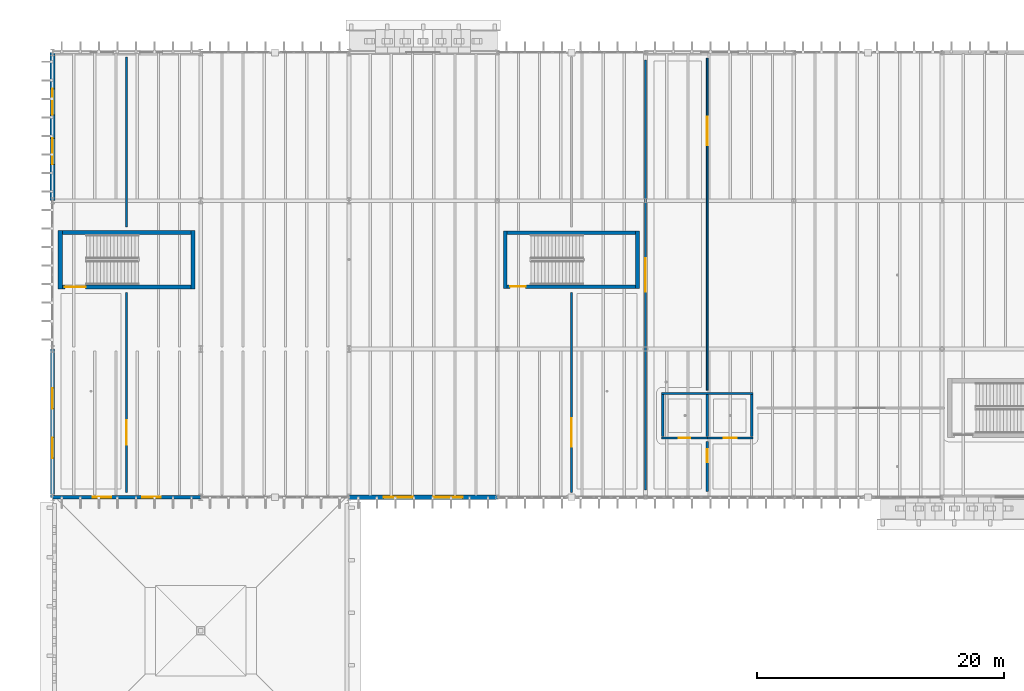
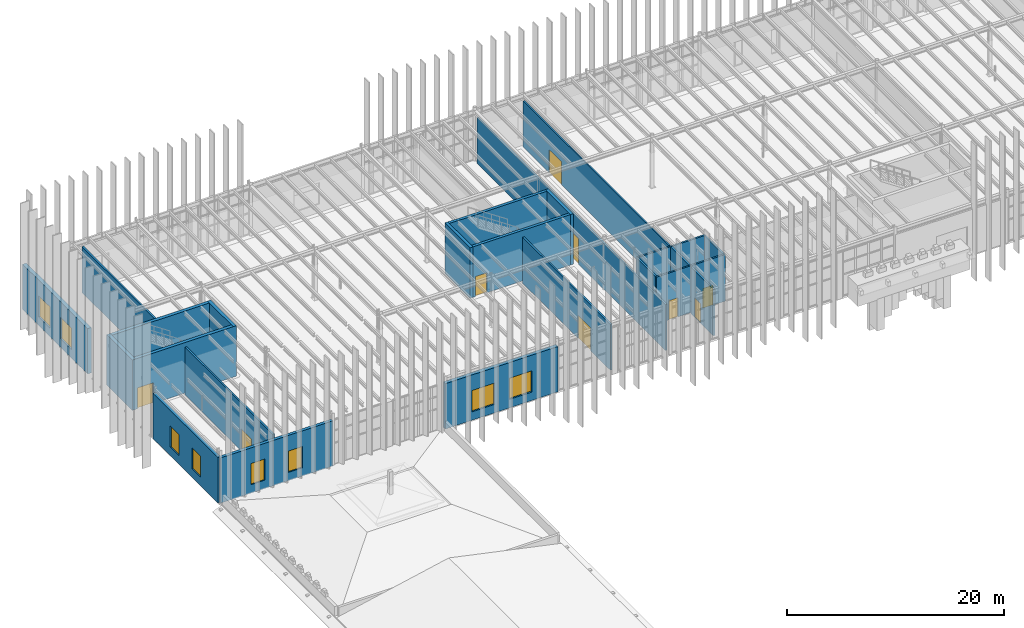
# One storey, part 46 of 83: 24 walls, 9 doors, 8 windows, 17 openings.
"""IFC4 building model written with IfcOpenShell, lengths in metres."""

import ifcopenshell
import ifcopenshell.guid

model = None  # the IFC model being written
_history = None  # IfcOwnerHistory: only IFC2X3 demands one
_inside = {}  # id of a spatial element -> (the spatial element, [elements in it])
_under = {}  # id of a project, library or spatial element -> (it, [spatial elements below it])
_declared = {}  # id of a project -> (the project, [libraries it declares])
_typed = {}  # id of a type object -> (the type object, [elements of that type])
_made_of = {}  # id of a material, layer set ... -> (it, [elements and type objects made of it])


def new_model(schema):
    """Start an empty IFC model of exactly this schema.

    Asked for "IFC4X3", IfcOpenShell would pick the latest addendum, in which some entities
    have other attributes; the version numbers below select the first issue.
    IFC2X3 requires an IfcOwnerHistory on every rooted entity: one is made here for all.
    """
    global model, _history
    if schema == "IFC4X3":
        model = ifcopenshell.file(schema_version=(4, 3, 0, 0))
    else:
        model = ifcopenshell.file(schema=schema)
    _inside.clear()
    _under.clear()
    _declared.clear()
    _typed.clear()
    _made_of.clear()
    _history = None
    if model.schema == "IFC2X3":
        org = make("IfcOrganization", Name="unknown")
        user = make(
            "IfcPersonAndOrganization",
            ThePerson=make("IfcPerson", FamilyName="unknown"),
            TheOrganization=org,
        )
        app = make(
            "IfcApplication",
            ApplicationDeveloper=org,
            Version="unknown",
            ApplicationFullName="unknown",
            ApplicationIdentifier="unknown",
        )
        _history = make(
            "IfcOwnerHistory",
            OwningUser=user,
            OwningApplication=app,
            ChangeAction="ADDED",
            CreationDate=0,
        )
    return model


def make(cls, **values):
    """One entity of the class cls with the attributes given. An attribute that is None is left unset."""
    return model.create_entity(
        cls, **{name: value for name, value in values.items() if value is not None}
    )


def rooted(cls, **values):
    """An entity with a GlobalId (a new one), such as an element, a storey or a relation."""
    return make(cls, GlobalId=ifcopenshell.guid.new(), OwnerHistory=_history, **values)


def si_unit(unit_type, name, prefix=None):
    """IfcSIUnit, for example si_unit("LENGTHUNIT", "METRE", prefix="MILLI")."""
    return make("IfcSIUnit", UnitType=unit_type, Prefix=prefix, Name=name)


def assignment(units):
    """IfcUnitAssignment: the units of a project."""
    return None if units is None else make("IfcUnitAssignment", Units=units)


def point(xyz):
    """IfcCartesianPoint."""
    return None if xyz is None else make("IfcCartesianPoint", Coordinates=xyz)


def direction(xyz):
    """IfcDirection."""
    return None if xyz is None else make("IfcDirection", DirectionRatios=xyz)


def frame(location, z_axis=None, x_axis=None):
    """IfcAxis2Placement3D, a coordinate frame: its origin and axes. An axis left out is left unset."""
    return make(
        "IfcAxis2Placement3D",
        Location=point(location),
        Axis=direction(z_axis),
        RefDirection=direction(x_axis),
    )


def frame_2d(location, x_axis=None):
    """IfcAxis2Placement2D, a coordinate frame in the plane: its origin and x axis."""
    return make(
        "IfcAxis2Placement2D", Location=point(location), RefDirection=direction(x_axis)
    )


def origin():
    """The frame at (0, 0, 0) with its axes left unset."""
    return frame((0.0, 0.0, 0.0))


def place(relative_to, where):
    """IfcLocalPlacement: puts the frame where relative to a parent placement (None: the world)."""
    return make(
        "IfcLocalPlacement", PlacementRelTo=relative_to, RelativePlacement=where
    )


def context(
    kind, dimensions, precision=None, world=None, true_north=None, identifier=None
):
    """IfcGeometricRepresentationContext, for example the 3D "Model" context."""
    return make(
        "IfcGeometricRepresentationContext",
        ContextIdentifier=identifier,
        ContextType=kind,
        CoordinateSpaceDimension=dimensions,
        Precision=precision,
        WorldCoordinateSystem=world,
        TrueNorth=true_north,
    )


def subcontext(parent, identifier, kind, view, scale=None):
    """IfcGeometricRepresentationSubContext, for example "Body" below "Model"."""
    return make(
        "IfcGeometricRepresentationSubContext",
        ContextIdentifier=identifier,
        ContextType=kind,
        ParentContext=parent,
        TargetScale=scale,
        TargetView=view,
    )


def project(units=None, contexts=None):
    """IfcProject with its units and contexts."""
    return rooted(
        "IfcProject",
        Name="project",
        RepresentationContexts=contexts,
        UnitsInContext=assignment(units),
    )


def spatial(cls, under=None, at=None, **own):
    """A site, building, storey or space (cls), placed at a placement, below another one or the project."""
    s = rooted(cls, ObjectPlacement=at, **own)
    if under is not None:
        _under.setdefault(under.id(), (under, []))[1].append(s)
    return s


def profile(cls, at=None, kind="AREA", **sizes):
    """A parametric profile (cls). Its sizes go by their IFC names, for example OverallWidth=200.0."""
    return make(cls, ProfileType=kind, Position=at, **sizes)


def rectangle(**sizes):
    """IfcRectangleProfileDef."""
    return profile("IfcRectangleProfileDef", **sizes)


def extrude(swept, where, along, depth):
    """IfcExtrudedAreaSolid: the profile swept, set in the frame where, extruded along a direction by depth."""
    return make(
        "IfcExtrudedAreaSolid",
        SweptArea=swept,
        Position=where,
        ExtrudedDirection=direction(along),
        Depth=depth,
    )


def shape(context_of_items, identifier, shape_type, items):
    """IfcShapeRepresentation: the items that make up one representation, for example the "Body"."""
    return make(
        "IfcShapeRepresentation",
        ContextOfItems=context_of_items,
        RepresentationIdentifier=identifier,
        RepresentationType=shape_type,
        Items=items,
    )


def material(Name=None, Category=None):
    """IfcMaterial."""
    return make("IfcMaterial", Name=Name, Category=Category)


def layer(
    of_material, thickness, ventilated=None, Name=None, Category=None, Priority=None
):
    """IfcMaterialLayer: one layer of a wall or slab, of a material (None: an air gap)."""
    return make(
        "IfcMaterialLayer",
        Material=of_material,
        LayerThickness=thickness,
        IsVentilated=ventilated,
        Name=Name,
        Category=Category,
        Priority=Priority,
    )


def layer_set(layers, Name=None):
    """IfcMaterialLayerSet."""
    return make("IfcMaterialLayerSet", MaterialLayers=layers, LayerSetName=Name)


def made_of(thing, what):
    """Note that an element or type object is made of a material, layer set ...; save() writes the relation."""
    if what is not None:
        _made_of.setdefault(what.id(), (what, []))[1].append(thing)
    return thing


def type_object(cls, material=None, **own):
    """A type object (cls), such as IfcWallType, which elements share."""
    return made_of(rooted(cls, **own), material)


def element(
    cls,
    number,
    at=None,
    inside=None,
    cuts=None,
    type_object=None,
    material=None,
    context=None,
    identifier="Body",
    shape_type=None,
    held_by="IfcProductDefinitionShape",
    body=None,
    shapes=None,
    **own,
):
    """One element of the class cls, such as IfcWall. Its Tag is "e" and its number.

    at: its placement. inside: the storey or other place that contains it. cuts: it is an
    opening in that element (IfcRelVoidsElement). A single representation is given by context,
    identifier, shape_type and body (its items); several are given by shapes. held_by: the class
    of the entity that holds the representations. save() writes the other relations.
    """
    e = rooted(cls, Tag="e%d" % number, ObjectPlacement=at, **own)
    if body is not None:
        shapes = [shape(context, identifier, shape_type, body)]
    if shapes is not None:
        e.Representation = make(held_by, Representations=shapes)
    if inside is not None:
        _inside.setdefault(inside.id(), (inside, []))[1].append(e)
    if cuts is not None:
        rooted(
            "IfcRelVoidsElement", RelatingBuildingElement=cuts, RelatedOpeningElement=e
        )
    if type_object is not None:
        _typed.setdefault(type_object.id(), (type_object, []))[1].append(e)
    return made_of(e, material)


def fill(opening, filler):
    """IfcRelFillsElement: the door or window that sits in an opening."""
    return rooted(
        "IfcRelFillsElement",
        RelatingOpeningElement=opening,
        RelatedBuildingElement=filler,
    )


def aggregate(whole, parts):
    """IfcRelAggregates: a whole, such as a stair, and the parts it consists of."""
    return rooted("IfcRelAggregates", RelatingObject=whole, RelatedObjects=parts)


def save(model, path):
    """Write the relations noted so far, then the file.

    IfcRelAggregates (storeys below a building ...), IfcRelContainedInSpatialStructure (elements
    in a storey), IfcRelDefinesByType, IfcRelAssociatesMaterial and IfcRelDeclares: one each for
    every whole, place, type object, material and project.
    """
    for whole, parts in _under.values():
        aggregate(whole, parts)
    for where, things in _inside.values():
        rooted(
            "IfcRelContainedInSpatialStructure",
            RelatedElements=things,
            RelatingStructure=where,
        )
    for kind, things in _typed.values():
        rooted("IfcRelDefinesByType", RelatedObjects=things, RelatingType=kind)
    for what, things in _made_of.values():
        rooted("IfcRelAssociatesMaterial", RelatedObjects=things, RelatingMaterial=what)
    for by, libraries in _declared.values():
        rooted("IfcRelDeclares", RelatingContext=by, RelatedDefinitions=libraries)
    model.write(path)


model = new_model("IFC4")

# Units and contexts
model_context = context("Model", 3, precision=1e-05, world=origin(), true_north=direction((0.0, 1.0)))
body_context = subcontext(model_context, "Body", "Model", "MODEL_VIEW")
ifc_project = project(units=[si_unit("LENGTHUNIT", "METRE"), si_unit("AREAUNIT", "SQUARE_METRE"), si_unit("VOLUMEUNIT", "CUBIC_METRE"), si_unit("PLANEANGLEUNIT", "RADIAN"), si_unit("MASSUNIT", "GRAM", prefix="KILO")], contexts=[model_context])

# Site, building, storey
site_placement = place(None, origin())
site = spatial("IfcSite", under=ifc_project, at=site_placement, CompositionType="ELEMENT")
building_placement = place(site_placement, origin())
building = spatial("IfcBuilding", under=site, at=building_placement, Name="Zlatogorsky Bluff Art Gallery", CompositionType="ELEMENT")
storey_placement = place(building_placement, frame((0.0, 0.0, 10.800048828125)))
storey = spatial("IfcBuildingStorey", under=building, at=storey_placement, Name="L02", CompositionType="ELEMENT", Elevation=10.800048828125)

# Wall, openings, windows
ifc_material_1 = material(Name="Precast concrete C40/50", Category="concrete")
ifc_layer_1 = layer(ifc_material_1, 0.39990234375)
ifc_layer_set_1 = layer_set([ifc_layer_1], Name="Exterior Wall EW-02 400mm")
wall_type_1 = type_object("IfcWallType", Name="Exterior Wall EW-02 400mm", PredefinedType="SOLIDWALL", material=ifc_layer_set_1)
wall_1_placement = place(storey_placement, frame((0.0, 120.0, 0.0), z_axis=(0.0, 0.0, 1.0), x_axis=(0.0, -1.0, 0.0)))
wall_1 = element("IfcWall", 1, at=wall_1_placement, inside=storey, type_object=wall_type_1, Name="Exterior wall EW-02 L02 W 0.10", PredefinedType="SOLIDWALL", context=body_context, shape_type="SweptSolid", body=[
    extrude(rectangle(XDim=12.0, YDim=0.39990234375, at=frame_2d((6.0, 0.0))), origin(), (0.0, 0.0, 1.0), 5.10986328125),
])
opening_1_placement = place(wall_1_placement, frame((2.949951171875, 0.0, 0.949951171875)))
opening_1 = element("IfcOpeningElement", 2, at=opening_1_placement, cuts=wall_1, Name="Opening WN-44", PredefinedType="OPENING", context=body_context, shape_type="SweptSolid", body=[
    extrude(rectangle(XDim=2.10009765625, YDim=2.39990234375, at=frame_2d((1.050048828125, 1.199951171875))), frame((0.0, 0.2099609375, 0.0), z_axis=(0.0, -1.0, 0.0), x_axis=(1.0, 0.0, 0.0)), (0.0, 0.0, 1.0), 0.419921875),
])
opening_2_placement = place(wall_1_placement, frame((6.949951171875, 0.0, 0.949951171875)))
opening_2 = element("IfcOpeningElement", 3, at=opening_2_placement, cuts=wall_1, Name="Opening WN-44", PredefinedType="OPENING", context=body_context, shape_type="SweptSolid", body=[
    extrude(rectangle(XDim=2.10009765625, YDim=2.39990234375, at=frame_2d((1.050048828125, 1.199951171875))), frame((0.0, 0.2099609375, 0.0), z_axis=(0.0, -1.0, 0.0), x_axis=(1.0, 0.0, 0.0)), (0.0, 0.0, 1.0), 0.419921875),
])
ifc_material_2 = material(Name="Bronze-Anodised Aluminium Triple Glazing", Category="aluminium")
window_type_1 = type_object("IfcWindowType", Name="Pointed-Reveal Window WN-44 2100x2400", PartitioningType="SINGLE_PANEL", PredefinedType="WINDOW", material=ifc_material_2)
window_1_placement = place(opening_1_placement, origin())
window_1 = element("IfcWindow", 4, at=window_1_placement, inside=storey, type_object=window_type_1, Name="Window WN-44 L02.W.0.10.1", OverallHeight=2.39990234375, OverallWidth=2.10009765625, PartitioningType="SINGLE_PANEL", PredefinedType="WINDOW", context=body_context, shape_type="SweptSolid", body=[
    extrude(rectangle(XDim=2.10009765625, YDim=2.39990234375, at=frame_2d((1.050048828125, 1.199951171875))), frame((0.0, 0.030029296875, 0.0), z_axis=(0.0, -1.0, 0.0), x_axis=(1.0, 0.0, 0.0)), (0.0, 0.0, 1.0), 0.06005859375),
])
fill(opening_1, window_1)
window_2_placement = place(opening_2_placement, origin())
window_2 = element("IfcWindow", 5, at=window_2_placement, inside=storey, type_object=window_type_1, Name="Window WN-44 L02.W.0.10.2", OverallHeight=2.39990234375, OverallWidth=2.10009765625, PartitioningType="SINGLE_PANEL", PredefinedType="WINDOW", context=body_context, shape_type="SweptSolid", body=[
    extrude(rectangle(XDim=2.10009765625, YDim=2.39990234375, at=frame_2d((1.050048828125, 1.199951171875))), frame((0.0, 0.030029296875, 0.0), z_axis=(0.0, -1.0, 0.0), x_axis=(1.0, 0.0, 0.0)), (0.0, 0.0, 1.0), 0.06005859375),
])
fill(opening_2, window_2)

wall_2_placement = place(storey_placement, frame((24.0, 84.0, 0.0), z_axis=(0.0, 0.0, 1.0), x_axis=(1.0, 0.0, 0.0)))
wall_2 = element("IfcWall", 6, at=wall_2_placement, inside=storey, type_object=wall_type_1, Name="Exterior wall EW-02 L02 S 2.8", PredefinedType="SOLIDWALL", context=body_context, shape_type="SweptSolid", body=[
    extrude(rectangle(XDim=12.0, YDim=0.39990234375, at=frame_2d((6.0, 0.0))), origin(), (0.0, 0.0, 1.0), 5.10986328125),
])
opening_3_placement = place(wall_2_placement, frame((2.800048828125, 0.0, 0.949951171875)))
opening_3 = element("IfcOpeningElement", 7, at=opening_3_placement, cuts=wall_2, Name="Opening WN-45", PredefinedType="OPENING", context=body_context, shape_type="SweptSolid", body=[
    extrude(rectangle(XDim=2.39990234375, YDim=2.39990234375, at=frame_2d((1.199951171875, 1.199951171875))), frame((0.0, 0.2099609375, 0.0), z_axis=(0.0, -1.0, 0.0), x_axis=(1.0, 0.0, 0.0)), (0.0, 0.0, 1.0), 0.419921875),
])
opening_4_placement = place(wall_2_placement, frame((6.800048828125, 0.0, 0.949951171875)))
opening_4 = element("IfcOpeningElement", 8, at=opening_4_placement, cuts=wall_2, Name="Opening WN-45", PredefinedType="OPENING", context=body_context, shape_type="SweptSolid", body=[
    extrude(rectangle(XDim=2.39990234375, YDim=2.39990234375, at=frame_2d((1.199951171875, 1.199951171875))), frame((0.0, 0.2099609375, 0.0), z_axis=(0.0, -1.0, 0.0), x_axis=(1.0, 0.0, 0.0)), (0.0, 0.0, 1.0), 0.419921875),
])
window_type_2 = type_object("IfcWindowType", Name="Pointed-Reveal Window WN-45 2400x2400", PartitioningType="SINGLE_PANEL", PredefinedType="WINDOW", material=ifc_material_2)
window_3_placement = place(opening_3_placement, origin())
window_3 = element("IfcWindow", 9, at=window_3_placement, inside=storey, type_object=window_type_2, Name="Window WN-45 L02.S.2.8.1", OverallHeight=2.39990234375, OverallWidth=2.39990234375, PartitioningType="SINGLE_PANEL", PredefinedType="WINDOW", context=body_context, shape_type="SweptSolid", body=[
    extrude(rectangle(XDim=2.39990234375, YDim=2.39990234375, at=frame_2d((1.199951171875, 1.199951171875))), frame((0.0, 0.030029296875, 0.0), z_axis=(0.0, -1.0, 0.0), x_axis=(1.0, 0.0, 0.0)), (0.0, 0.0, 1.0), 0.06005859375),
])
fill(opening_3, window_3)
window_4_placement = place(opening_4_placement, origin())
window_4 = element("IfcWindow", 10, at=window_4_placement, inside=storey, type_object=window_type_2, Name="Window WN-45 L02.S.2.8.2", OverallHeight=2.39990234375, OverallWidth=2.39990234375, PartitioningType="SINGLE_PANEL", PredefinedType="WINDOW", context=body_context, shape_type="SweptSolid", body=[
    extrude(rectangle(XDim=2.39990234375, YDim=2.39990234375, at=frame_2d((1.199951171875, 1.199951171875))), frame((0.0, 0.030029296875, 0.0), z_axis=(0.0, -1.0, 0.0), x_axis=(1.0, 0.0, 0.0)), (0.0, 0.0, 1.0), 0.06005859375),
])
fill(opening_4, window_4)

ifc_layer_2 = layer(ifc_material_1, 0.320068359375)
ifc_layer_set_2 = layer_set([ifc_layer_2], Name="Exterior Wall EW-04 320mm")
wall_type_2 = type_object("IfcWallType", Name="Exterior Wall EW-04 320mm", PredefinedType="SOLIDWALL", material=ifc_layer_set_2)
wall_3_placement = place(storey_placement, frame((0.0, 84.0, 0.0), z_axis=(0.0, 0.0, 1.0), x_axis=(1.0, 0.0, 0.0)))
wall_3 = element("IfcWall", 11, at=wall_3_placement, inside=storey, type_object=wall_type_2, Name="Exterior wall EW-04 L02 S 0.8", PredefinedType="SOLIDWALL", context=body_context, shape_type="SweptSolid", body=[
    extrude(rectangle(XDim=12.0, YDim=0.320068359375, at=frame_2d((6.0, 0.0))), origin(), (0.0, 0.0, 1.0), 5.10986328125),
])
opening_5_placement = place(wall_3_placement, frame((3.25, 0.0, 0.949951171875)))
opening_5 = element("IfcOpeningElement", 12, at=opening_5_placement, cuts=wall_3, Name="Opening WN-41", PredefinedType="OPENING", context=body_context, shape_type="SweptSolid", body=[
    extrude(rectangle(XDim=1.5, YDim=2.39990234375, at=frame_2d((0.75, 1.199951171875))), frame((0.0, 0.169921875, 0.0), z_axis=(0.0, -1.0, 0.0), x_axis=(1.0, 0.0, 0.0)), (0.0, 0.0, 1.0), 0.340087890625),
])
opening_6_placement = place(wall_3_placement, frame((7.25, 0.0, 0.949951171875)))
opening_6 = element("IfcOpeningElement", 13, at=opening_6_placement, cuts=wall_3, Name="Opening WN-41", PredefinedType="OPENING", context=body_context, shape_type="SweptSolid", body=[
    extrude(rectangle(XDim=1.5, YDim=2.39990234375, at=frame_2d((0.75, 1.199951171875))), frame((0.0, 0.169921875, 0.0), z_axis=(0.0, -1.0, 0.0), x_axis=(1.0, 0.0, 0.0)), (0.0, 0.0, 1.0), 0.340087890625),
])
window_type_3 = type_object("IfcWindowType", Name="Pointed-Reveal Window WN-41 1500x2400", PartitioningType="SINGLE_PANEL", PredefinedType="WINDOW", material=ifc_material_2)
window_5_placement = place(opening_5_placement, origin())
window_5 = element("IfcWindow", 14, at=window_5_placement, inside=storey, type_object=window_type_3, Name="Window WN-41 L02.S.0.8.1", OverallHeight=2.39990234375, OverallWidth=1.5, PartitioningType="SINGLE_PANEL", PredefinedType="WINDOW", context=body_context, shape_type="SweptSolid", body=[
    extrude(rectangle(XDim=1.5, YDim=2.39990234375, at=frame_2d((0.75, 1.199951171875))), frame((0.0, 0.030029296875, 0.0), z_axis=(0.0, -1.0, 0.0), x_axis=(1.0, 0.0, 0.0)), (0.0, 0.0, 1.0), 0.06005859375),
])
fill(opening_5, window_5)
window_6_placement = place(opening_6_placement, origin())
window_6 = element("IfcWindow", 15, at=window_6_placement, inside=storey, type_object=window_type_3, Name="Window WN-41 L02.S.0.8.2", OverallHeight=2.39990234375, OverallWidth=1.5, PartitioningType="SINGLE_PANEL", PredefinedType="WINDOW", context=body_context, shape_type="SweptSolid", body=[
    extrude(rectangle(XDim=1.5, YDim=2.39990234375, at=frame_2d((0.75, 1.199951171875))), frame((0.0, 0.030029296875, 0.0), z_axis=(0.0, -1.0, 0.0), x_axis=(1.0, 0.0, 0.0)), (0.0, 0.0, 1.0), 0.06005859375),
])
fill(opening_6, window_6)

wall_4_placement = place(storey_placement, frame((0.0, 96.0, 0.0), z_axis=(0.0, 0.0, 1.0), x_axis=(0.0, -1.0, 0.0)))
wall_4 = element("IfcWall", 16, at=wall_4_placement, inside=storey, type_object=wall_type_2, Name="Exterior wall EW-04 L02 W 0.8", PredefinedType="SOLIDWALL", context=body_context, shape_type="SweptSolid", body=[
    extrude(rectangle(XDim=12.0, YDim=0.320068359375, at=frame_2d((6.0, 0.0))), origin(), (0.0, 0.0, 1.0), 5.10986328125),
])
opening_7_placement = place(wall_4_placement, frame((3.175048828125, 0.0, 0.949951171875)))
opening_7 = element("IfcOpeningElement", 17, at=opening_7_placement, cuts=wall_4, Name="Opening WN-42", PredefinedType="OPENING", context=body_context, shape_type="SweptSolid", body=[
    extrude(rectangle(XDim=1.64990234375, YDim=2.39990234375, at=frame_2d((0.824951171875, 1.199951171875))), frame((0.0, 0.169921875, 0.0), z_axis=(0.0, -1.0, 0.0), x_axis=(1.0, 0.0, 0.0)), (0.0, 0.0, 1.0), 0.340087890625),
])
opening_8_placement = place(wall_4_placement, frame((7.175048828125, 0.0, 0.949951171875)))
opening_8 = element("IfcOpeningElement", 18, at=opening_8_placement, cuts=wall_4, Name="Opening WN-42", PredefinedType="OPENING", context=body_context, shape_type="SweptSolid", body=[
    extrude(rectangle(XDim=1.64990234375, YDim=2.39990234375, at=frame_2d((0.824951171875, 1.199951171875))), frame((0.0, 0.169921875, 0.0), z_axis=(0.0, -1.0, 0.0), x_axis=(1.0, 0.0, 0.0)), (0.0, 0.0, 1.0), 0.340087890625),
])
window_type_4 = type_object("IfcWindowType", Name="Pointed-Reveal Window WN-42 1650x2400", PartitioningType="SINGLE_PANEL", PredefinedType="WINDOW", material=ifc_material_2)
window_7_placement = place(opening_7_placement, origin())
window_7 = element("IfcWindow", 19, at=window_7_placement, inside=storey, type_object=window_type_4, Name="Window WN-42 L02.W.0.8.1", OverallHeight=2.39990234375, OverallWidth=1.64990234375, PartitioningType="SINGLE_PANEL", PredefinedType="WINDOW", context=body_context, shape_type="SweptSolid", body=[
    extrude(rectangle(XDim=1.64990234375, YDim=2.39990234375, at=frame_2d((0.824951171875, 1.199951171875))), frame((0.0, 0.030029296875, 0.0), z_axis=(0.0, -1.0, 0.0), x_axis=(1.0, 0.0, 0.0)), (0.0, 0.0, 1.0), 0.06005859375),
])
fill(opening_7, window_7)
window_8_placement = place(opening_8_placement, origin())
window_8 = element("IfcWindow", 20, at=window_8_placement, inside=storey, type_object=window_type_4, Name="Window WN-42 L02.W.0.8.2", OverallHeight=2.39990234375, OverallWidth=1.64990234375, PartitioningType="SINGLE_PANEL", PredefinedType="WINDOW", context=body_context, shape_type="SweptSolid", body=[
    extrude(rectangle(XDim=1.64990234375, YDim=2.39990234375, at=frame_2d((0.824951171875, 1.199951171875))), frame((0.0, 0.030029296875, 0.0), z_axis=(0.0, -1.0, 0.0), x_axis=(1.0, 0.0, 0.0)), (0.0, 0.0, 1.0), 0.06005859375),
])
fill(opening_8, window_8)

# Wall, opening, door
ifc_material_3 = material(Name="Concrete C30/37", Category="concrete")
ifc_layer_3 = layer(ifc_material_3, 0.14990234375)
ifc_layer_set_3 = layer_set([ifc_layer_3], Name="Interior Wall IW-01 150mm")
wall_type_3 = type_object("IfcWallType", Name="Interior Wall IW-01 150mm", PredefinedType="PARTITIONING", material=ifc_layer_set_3)
wall_5_placement = place(storey_placement, frame((53.0, 92.680908203125, 0.0), z_axis=(0.0, 0.0, 1.0), x_axis=(0.0, 1.0, 0.0)))
wall_5 = element("IfcWall", 21, at=wall_5_placement, inside=storey, type_object=wall_type_3, Name="Partition IW-01 between L02-G2-11 and L02-G2-13", PredefinedType="PARTITIONING", context=body_context, shape_type="SweptSolid", body=[
    extrude(rectangle(XDim=26.869140625, YDim=0.14990234375, at=frame_2d((13.4345703125, 0.0))), origin(), (0.0, 0.0, 1.0), 5.179931640625),
])
opening_9_placement = place(wall_5_placement, frame((19.80810546875, 0.0, 0.0)))
opening_9 = element("IfcOpeningElement", 22, at=opening_9_placement, cuts=wall_5, Name="Opening ID-14", PredefinedType="OPENING", context=body_context, shape_type="SweptSolid", body=[
    extrude(rectangle(XDim=2.300048828125, YDim=2.60009765625, at=frame_2d((1.14990234375, 1.300048828125))), frame((0.0, 0.0849609375, 0.0), z_axis=(0.0, -1.0, 0.0), x_axis=(1.0, 0.0, 0.0)), (0.0, 0.0, 1.0), 0.169921875),
])
ifc_material_4 = material(Name="Anodised Aluminium and Laminated Timber", Category="wood")
door_type_1 = type_object("IfcDoorType", Name="Interior Door ID-14 2300x2600", OperationType="DOUBLE_DOOR_SINGLE_SWING", PredefinedType="DOOR", material=ifc_material_4)
door_1_placement = place(opening_9_placement, origin())
door_1 = element("IfcDoor", 23, at=door_1_placement, inside=storey, type_object=door_type_1, Name="Door ID-14 L02-G2-11-L02-G2-13", OperationType="DOUBLE_DOOR_SINGLE_SWING", OverallHeight=2.60009765625, OverallWidth=2.300048828125, PredefinedType="DOOR", context=body_context, shape_type="SweptSolid", body=[
    extrude(rectangle(XDim=2.300048828125, YDim=2.60009765625, at=frame_2d((1.14990234375, 1.300048828125))), frame((0.0, 0.02490234375, 0.0), z_axis=(0.0, -1.0, 0.0), x_axis=(1.0, 0.0, 0.0)), (0.0, 0.0, 1.0), 0.050048828125),
])
fill(opening_9, door_1)

# Wall
ifc_layer_4 = layer(ifc_material_3, 0.179931640625)
ifc_layer_set_4 = layer_set([ifc_layer_4], Name="Interior Wall IW-02 180mm")
wall_type_4 = type_object("IfcWallType", Name="Interior Wall IW-02 180mm", PredefinedType="PARTITIONING", material=ifc_layer_set_4)
wall_6_placement = place(storey_placement, frame((49.31005859375, 92.39990234375, 0.0), z_axis=(0.0, 0.0, 1.0), x_axis=(1.0, 0.0, 0.0)))
element("IfcWall", 24, at=wall_6_placement, inside=storey, type_object=wall_type_4, Name="Restroom enclosure partition IW-L02-WC-N", PredefinedType="PARTITIONING", context=body_context, shape_type="SweptSolid", body=[
    extrude(rectangle(XDim=7.3798828125, YDim=0.179931640625, at=frame_2d((3.68994140625, 0.0))), origin(), (0.0, 0.0, 1.0), 5.27001953125),
])

# Wall, opening, door
wall_7_placement = place(storey_placement, frame((49.31005859375, 88.800048828125, 0.0), z_axis=(0.0, 0.0, 1.0), x_axis=(1.0, 0.0, 0.0)))
wall_7 = element("IfcWall", 25, at=wall_7_placement, inside=storey, type_object=wall_type_4, Name="Restroom enclosure partition IW-L02-WC-S1", PredefinedType="PARTITIONING", context=body_context, shape_type="SweptSolid", body=[
    extrude(rectangle(XDim=3.68994140625, YDim=0.179931640625, at=frame_2d((1.844970703125, 0.0))), origin(), (0.0, 0.0, 1.0), 5.27001953125),
])
opening_10_placement = place(wall_7_placement, frame((1.364990234375, 0.0, 0.0)))
opening_10 = element("IfcOpeningElement", 26, at=opening_10_placement, cuts=wall_7, Name="Opening ID-02", PredefinedType="OPENING", context=body_context, shape_type="SweptSolid", body=[
    extrude(rectangle(XDim=0.9599609375, YDim=2.14990234375, at=frame_2d((0.47998046875, 1.074951171875))), frame((0.0, 0.099853515625, 0.0), z_axis=(0.0, -1.0, 0.0), x_axis=(1.0, 0.0, 0.0)), (0.0, 0.0, 1.0), 0.199951171875),
])
door_type_2 = type_object("IfcDoorType", Name="Interior Door ID-02 960x2150", OperationType="SINGLE_SWING_LEFT", PredefinedType="DOOR", material=ifc_material_4)
door_2_placement = place(opening_10_placement, origin())
door_2 = element("IfcDoor", 27, at=door_2_placement, inside=storey, type_object=door_type_2, Name="Door ID-02 L02-WC", OperationType="SINGLE_SWING_RIGHT", OverallHeight=2.14990234375, OverallWidth=0.9599609375, PredefinedType="DOOR", context=body_context, shape_type="SweptSolid", body=[
    extrude(rectangle(XDim=0.9599609375, YDim=2.14990234375, at=frame_2d((0.47998046875, 1.074951171875))), frame((0.0, 0.02490234375, 0.0), z_axis=(0.0, -1.0, 0.0), x_axis=(1.0, 0.0, 0.0)), (0.0, 0.0, 1.0), 0.050048828125),
])
fill(opening_10, door_2)

wall_8_placement = place(storey_placement, frame((53.0, 88.800048828125, 0.0), z_axis=(0.0, 0.0, 1.0), x_axis=(1.0, 0.0, 0.0)))
wall_8 = element("IfcWall", 28, at=wall_8_placement, inside=storey, type_object=wall_type_4, Name="Restroom enclosure partition IW-L02-WC-S2", PredefinedType="PARTITIONING", context=body_context, shape_type="SweptSolid", body=[
    extrude(rectangle(XDim=3.68994140625, YDim=0.179931640625, at=frame_2d((1.844970703125, 0.0))), origin(), (0.0, 0.0, 1.0), 5.27001953125),
])
opening_11_placement = place(wall_8_placement, frame((1.320068359375, 0.0, 0.0)))
opening_11 = element("IfcOpeningElement", 29, at=opening_11_placement, cuts=wall_8, Name="Opening ID-04", PredefinedType="OPENING", context=body_context, shape_type="SweptSolid", body=[
    extrude(rectangle(XDim=1.050048828125, YDim=2.199951171875, at=frame_2d((0.52490234375, 1.10009765625))), frame((0.0, 0.099853515625, 0.0), z_axis=(0.0, -1.0, 0.0), x_axis=(1.0, 0.0, 0.0)), (0.0, 0.0, 1.0), 0.199951171875),
])
door_type_3 = type_object("IfcDoorType", Name="Interior Door ID-04 1050x2200", OperationType="SINGLE_SWING_LEFT", PredefinedType="DOOR", material=ifc_material_4)
door_3_placement = place(opening_11_placement, origin())
door_3 = element("IfcDoor", 30, at=door_3_placement, inside=storey, type_object=door_type_3, Name="Door ID-04 L02-AWC", OperationType="SINGLE_SWING_LEFT", OverallHeight=2.199951171875, OverallWidth=1.050048828125, PredefinedType="DOOR", context=body_context, shape_type="SweptSolid", body=[
    extrude(rectangle(XDim=1.050048828125, YDim=2.199951171875, at=frame_2d((0.52490234375, 1.10009765625))), frame((0.0, 0.02490234375, 0.0), z_axis=(0.0, -1.0, 0.0), x_axis=(1.0, 0.0, 0.0)), (0.0, 0.0, 1.0), 0.050048828125),
])
fill(opening_11, door_3)

# Walls
for number, where, z_axis, x_axis, name in (
    (31, (49.39990234375, 88.89990234375, 0.0), (0.0, 0.0, 1.0), (0.0, 1.0, 0.0), "Restroom enclosure partition IW-L02-WC-W"),
    (32, (56.60009765625, 88.89990234375, 0.0), (0.0, 0.0, 1.0), (0.0, 1.0, 0.0), "Restroom enclosure partition IW-L02-WC-E"),
    (33, (53.0, 88.89990234375, 0.0), (0.0, 0.0, 1.0), (0.0, 1.0, 0.0), "Restroom enclosure partition IW-L02-WC-M"),
):
    element("IfcWall", number, at=place(storey_placement, frame(where, z_axis=z_axis, x_axis=x_axis)), inside=storey, type_object=wall_type_4, Name=name, PredefinedType="PARTITIONING", context=body_context, shape_type="SweptSolid", body=[
        extrude(rectangle(XDim=3.400146484375, YDim=0.179931640625, at=frame_2d((1.7001953125, 0.0))), origin(), (0.0, 0.0, 1.0), 5.27001953125),
    ])

# Wall, opening, door
wall_9_placement = place(storey_placement, frame((6.0, 84.3798828125, 0.0), z_axis=(0.0, 0.0, 1.0), x_axis=(0.0, 1.0, 0.0)))
wall_9 = element("IfcWall", 34, at=wall_9_placement, inside=storey, type_object=wall_type_4, Name="Partition IW-02 between L02-G1-11 and L02-G1-12-S1", PredefinedType="PARTITIONING", context=body_context, shape_type="SweptSolid", body=[
    extrude(rectangle(XDim=16.2001953125, YDim=0.179931640625, at=frame_2d((8.10009765625, 0.0))), origin(), (0.0, 0.0, 1.0), 5.389892578125),
])
opening_12_placement = place(wall_9_placement, frame((3.885009765625, 0.0, 0.0)))
opening_12 = element("IfcOpeningElement", 35, at=opening_12_placement, cuts=wall_9, Name="Opening ID-12", PredefinedType="OPENING", context=body_context, shape_type="SweptSolid", body=[
    extrude(rectangle(XDim=1.949951171875, YDim=2.449951171875, at=frame_2d((0.97509765625, 1.22509765625))), frame((0.0, 0.099853515625, 0.0), z_axis=(0.0, -1.0, 0.0), x_axis=(1.0, 0.0, 0.0)), (0.0, 0.0, 1.0), 0.199951171875),
])
door_type_4 = type_object("IfcDoorType", Name="Interior Door ID-12 1950x2450", OperationType="DOUBLE_DOOR_SINGLE_SWING", PredefinedType="DOOR", material=ifc_material_4)
door_4_placement = place(opening_12_placement, origin())
door_4 = element("IfcDoor", 36, at=door_4_placement, inside=storey, type_object=door_type_4, Name="Door ID-12 L02-G1-11-L02-G1-12-S1", OperationType="DOUBLE_DOOR_SINGLE_SWING", OverallHeight=2.449951171875, OverallWidth=1.949951171875, PredefinedType="DOOR", context=body_context, shape_type="SweptSolid", body=[
    extrude(rectangle(XDim=1.949951171875, YDim=2.449951171875, at=frame_2d((0.97509765625, 1.22509765625))), frame((0.0, 0.02490234375, 0.0), z_axis=(0.0, -1.0, 0.0), x_axis=(1.0, 0.0, 0.0)), (0.0, 0.0, 1.0), 0.050048828125),
])
fill(opening_12, door_4)

# Wall
wall_10_placement = place(storey_placement, frame((6.0, 105.8701171875, 0.0), z_axis=(0.0, 0.0, 1.0), x_axis=(0.0, 1.0, 0.0)))
element("IfcWall", 37, at=wall_10_placement, inside=storey, type_object=wall_type_4, Name="Partition IW-02 between L02-G1-11 and L02-G1-12-S2", PredefinedType="PARTITIONING", context=body_context, shape_type="SweptSolid", body=[
    extrude(rectangle(XDim=13.75, YDim=0.179931640625, at=frame_2d((6.875, 0.0))), origin(), (0.0, 0.0, 1.0), 5.179931640625),
])

# Wall, opening, door
wall_11_placement = place(storey_placement, frame((42.0, 84.3798828125, 0.0), z_axis=(0.0, 0.0, 1.0), x_axis=(0.0, 1.0, 0.0)))
wall_11 = element("IfcWall", 38, at=wall_11_placement, inside=storey, type_object=wall_type_4, Name="Partition IW-02 between L02-G1-12 and L02-G1-13-S1", PredefinedType="PARTITIONING", context=body_context, shape_type="SweptSolid", body=[
    extrude(rectangle(XDim=16.2001953125, YDim=0.179931640625, at=frame_2d((8.10009765625, 0.0))), origin(), (0.0, 0.0, 1.0), 5.179931640625),
])
opening_13_placement = place(wall_11_placement, frame((3.7099609375, 0.0, 0.0)))
opening_13 = element("IfcOpeningElement", 39, at=opening_13_placement, cuts=wall_11, Name="Opening ID-14", PredefinedType="OPENING", context=body_context, shape_type="SweptSolid", body=[
    extrude(rectangle(XDim=2.300048828125, YDim=2.60009765625, at=frame_2d((1.14990234375, 1.300048828125))), frame((0.0, 0.099853515625, 0.0), z_axis=(0.0, -1.0, 0.0), x_axis=(1.0, 0.0, 0.0)), (0.0, 0.0, 1.0), 0.199951171875),
])
door_5_placement = place(opening_13_placement, origin())
door_5 = element("IfcDoor", 40, at=door_5_placement, inside=storey, type_object=door_type_1, Name="Door ID-14 L02-G1-12-L02-G1-13-S1", OperationType="DOUBLE_DOOR_SINGLE_SWING", OverallHeight=2.60009765625, OverallWidth=2.300048828125, PredefinedType="DOOR", context=body_context, shape_type="SweptSolid", body=[
    extrude(rectangle(XDim=2.300048828125, YDim=2.60009765625, at=frame_2d((1.14990234375, 1.300048828125))), frame((0.0, 0.02490234375, 0.0), z_axis=(0.0, -1.0, 0.0), x_axis=(1.0, 0.0, 0.0)), (0.0, 0.0, 1.0), 0.050048828125),
])
fill(opening_13, door_5)

wall_12_placement = place(storey_placement, frame((48.0, 84.594482421875, 0.0), z_axis=(0.0, 0.0, 1.0), x_axis=(0.0, 1.0, 0.0)))
wall_12 = element("IfcWall", 41, at=wall_12_placement, inside=storey, type_object=wall_type_4, Name="Partition IW-02 between L02-G1-13 and L02-G2-11", PredefinedType="PARTITIONING", context=body_context, shape_type="SweptSolid", body=[
    extrude(rectangle(XDim=34.81103515625, YDim=0.179931640625, at=frame_2d((17.405517578125, 0.0))), origin(), (0.0, 0.0, 1.0), 5.179931640625),
])
opening_14_placement = place(wall_12_placement, frame((16.055908203125, 0.0, 0.0)))
opening_14 = element("IfcOpeningElement", 42, at=opening_14_placement, cuts=wall_12, Name="Opening ID-16", PredefinedType="OPENING", context=body_context, shape_type="SweptSolid", body=[
    extrude(rectangle(XDim=2.699951171875, YDim=2.85009765625, at=frame_2d((1.35009765625, 1.425048828125))), frame((0.0, 0.099853515625, 0.0), z_axis=(0.0, -1.0, 0.0), x_axis=(1.0, 0.0, 0.0)), (0.0, 0.0, 1.0), 0.199951171875),
])
door_type_5 = type_object("IfcDoorType", Name="Interior Door ID-16 2700x2850", OperationType="DOUBLE_DOOR_SINGLE_SWING", PredefinedType="DOOR", material=ifc_material_4)
door_6_placement = place(opening_14_placement, origin())
door_6 = element("IfcDoor", 43, at=door_6_placement, inside=storey, type_object=door_type_5, Name="Door ID-16 L02-G1-13-L02-G2-11", OperationType="DOUBLE_DOOR_SINGLE_SWING", OverallHeight=2.85009765625, OverallWidth=2.699951171875, PredefinedType="DOOR", context=body_context, shape_type="SweptSolid", body=[
    extrude(rectangle(XDim=2.699951171875, YDim=2.85009765625, at=frame_2d((1.35009765625, 1.425048828125))), frame((0.0, 0.02490234375, 0.0), z_axis=(0.0, -1.0, 0.0), x_axis=(1.0, 0.0, 0.0)), (0.0, 0.0, 1.0), 0.050048828125),
])
fill(opening_14, door_6)

wall_13_placement = place(storey_placement, frame((53.0, 84.449951171875, 0.0), z_axis=(0.0, 0.0, 1.0), x_axis=(0.0, 1.0, 0.0)))
wall_13 = element("IfcWall", 44, at=wall_13_placement, inside=storey, type_object=wall_type_4, Name="Partition IW-02 between L02-G2-11 and L02-G2-12", PredefinedType="PARTITIONING", context=body_context, shape_type="SweptSolid", body=[
    extrude(rectangle(XDim=4.069091796875, YDim=0.179931640625, at=frame_2d((2.03466796875, 0.0))), origin(), (0.0, 0.0, 1.0), 5.27001953125),
])
opening_15_placement = place(wall_13_placement, frame((2.368896484375, 0.0, 0.0)))
opening_15 = element("IfcOpeningElement", 45, at=opening_15_placement, cuts=wall_13, Name="Opening ID-04", PredefinedType="OPENING", context=body_context, shape_type="SweptSolid", body=[
    extrude(rectangle(XDim=1.050048828125, YDim=2.199951171875, at=frame_2d((0.52490234375, 1.10009765625))), frame((0.0, 0.099853515625, 0.0), z_axis=(0.0, -1.0, 0.0), x_axis=(1.0, 0.0, 0.0)), (0.0, 0.0, 1.0), 0.199951171875),
])
door_7_placement = place(opening_15_placement, origin())
door_7 = element("IfcDoor", 46, at=door_7_placement, inside=storey, type_object=door_type_3, Name="Door ID-04 L02-G2-11-L02-G2-12", OperationType="SINGLE_SWING_RIGHT", OverallHeight=2.199951171875, OverallWidth=1.050048828125, PredefinedType="DOOR", context=body_context, shape_type="SweptSolid", body=[
    extrude(rectangle(XDim=1.050048828125, YDim=2.199951171875, at=frame_2d((0.52490234375, 1.10009765625))), frame((0.0, 0.02490234375, 0.0), z_axis=(0.0, -1.0, 0.0), x_axis=(1.0, 0.0, 0.0)), (0.0, 0.0, 1.0), 0.050048828125),
])
fill(opening_15, door_7)

ifc_material_5 = material(Name="Concrete C35/45", Category="concrete")
ifc_layer_5 = layer(ifc_material_5, 0.300048828125)
ifc_layer_set_5 = layer_set([ifc_layer_5], Name="Interior Wall SW-01 300mm")
wall_type_5 = type_object("IfcWallType", Name="Interior Wall SW-01 300mm", PredefinedType="SHEAR", material=ifc_layer_set_5)
wall_14_placement = place(storey_placement, frame((36.5, 101.050048828125, 0.0), z_axis=(0.0, 0.0, 1.0), x_axis=(1.0, 0.0, 0.0)))
wall_14 = element("IfcWall", 47, at=wall_14_placement, inside=storey, type_object=wall_type_5, Name="Stair ST-07 enclosure wall L02 W0", PredefinedType="SHEAR", context=body_context, shape_type="SweptSolid", body=[
    extrude(rectangle(XDim=11.0, YDim=0.300048828125, at=frame_2d((5.5, 0.0))), origin(), (0.0, 0.0, 1.0), 5.68994140625),
])
opening_16_placement = place(wall_14_placement, frame((0.550048828125, 0.0, 0.0)))
opening_16 = element("IfcOpeningElement", 48, at=opening_16_placement, cuts=wall_14, Name="Opening FD-02", PredefinedType="OPENING", context=body_context, shape_type="SweptSolid", body=[
    extrude(rectangle(XDim=1.239990234375, YDim=2.25, at=frame_2d((0.6201171875, 1.125))), frame((0.0, 0.159912109375, 0.0), z_axis=(0.0, -1.0, 0.0), x_axis=(1.0, 0.0, 0.0)), (0.0, 0.0, 1.0), 0.320068359375),
])
door_type_6 = type_object("IfcDoorType", Name="Interior Door FD-02 1240x2250", OperationType="SINGLE_SWING_LEFT", PredefinedType="DOOR", material=ifc_material_4)
door_8_placement = place(opening_16_placement, origin())
door_8 = element("IfcDoor", 49, at=door_8_placement, inside=storey, type_object=door_type_6, Name="Stair ST-07 fire door L02", OperationType="SINGLE_SWING_LEFT", OverallHeight=2.25, OverallWidth=1.239990234375, PredefinedType="DOOR", context=body_context, shape_type="SweptSolid", body=[
    extrude(rectangle(XDim=1.239990234375, YDim=2.25, at=frame_2d((0.6201171875, 1.125))), frame((0.0, 0.02490234375, 0.0), z_axis=(0.0, -1.0, 0.0), x_axis=(1.0, 0.0, 0.0)), (0.0, 0.0, 1.0), 0.050048828125),
])
fill(opening_16, door_8)

# Walls
wall_15_placement = place(storey_placement, frame((47.35009765625, 100.89990234375, 0.0), z_axis=(0.0, 0.0, 1.0), x_axis=(0.0, 1.0, 0.0)))
element("IfcWall", 50, at=wall_15_placement, inside=storey, type_object=wall_type_5, Name="Stair ST-07 enclosure wall L02 FEND", PredefinedType="SHEAR", context=body_context, shape_type="SweptSolid", body=[
    extrude(rectangle(XDim=4.650146484375, YDim=0.300048828125, at=frame_2d((2.3251953125, 0.0))), origin(), (0.0, 0.0, 1.0), 5.68994140625),
])
wall_16_placement = place(storey_placement, frame((47.5, 105.39990234375, 0.0), z_axis=(0.0, 0.0, 1.0), x_axis=(-1.0, 0.0, 0.0)))
element("IfcWall", 51, at=wall_16_placement, inside=storey, type_object=wall_type_5, Name="Stair ST-07 enclosure wall L02 W1", PredefinedType="SHEAR", context=body_context, shape_type="SweptSolid", body=[
    extrude(rectangle(XDim=11.0, YDim=0.300048828125, at=frame_2d((5.5, 0.0))), origin(), (0.0, 0.0, 1.0), 5.68994140625),
])
wall_17_placement = place(storey_placement, frame((36.64990234375, 105.550048828125, 0.0), z_axis=(0.0, 0.0, 1.0), x_axis=(0.0, -1.0, 0.0)))
element("IfcWall", 52, at=wall_17_placement, inside=storey, type_object=wall_type_5, Name="Stair ST-07 enclosure wall L02 LEND", PredefinedType="SHEAR", context=body_context, shape_type="SweptSolid", body=[
    extrude(rectangle(XDim=4.650146484375, YDim=0.300048828125, at=frame_2d((2.3251953125, 0.0))), origin(), (0.0, 0.0, 1.0), 5.68994140625),
])

# Wall, opening, door
ifc_layer_6 = layer(ifc_material_5, 0.35009765625)
ifc_layer_set_6 = layer_set([ifc_layer_6], Name="Interior Wall SW-02 350mm")
wall_type_6 = type_object("IfcWallType", Name="Interior Wall SW-02 350mm", PredefinedType="SHEAR", material=ifc_layer_set_6)
wall_18_placement = place(storey_placement, frame((0.449951171875, 101.02490234375, 0.0), z_axis=(0.0, 0.0, 1.0), x_axis=(1.0, 0.0, 0.0)))
wall_18 = element("IfcWall", 53, at=wall_18_placement, inside=storey, type_object=wall_type_6, Name="Stair ST-05 enclosure wall L02 W0", PredefinedType="SHEAR", context=body_context, shape_type="SweptSolid", body=[
    extrude(rectangle(XDim=11.10009765625, YDim=0.35009765625, at=frame_2d((5.550048828125, 0.0))), origin(), (0.0, 0.0, 1.0), 5.68994140625),
])
opening_17_placement = place(wall_18_placement, frame((0.550048828125, 0.0, 0.0)))
opening_17 = element("IfcOpeningElement", 54, at=opening_17_placement, cuts=wall_18, Name="Opening FD-04", PredefinedType="OPENING", context=body_context, shape_type="SweptSolid", body=[
    extrude(rectangle(XDim=1.679931640625, YDim=2.35009765625, at=frame_2d((0.83984375, 1.175048828125))), frame((0.0, 0.18505859375, 0.0), z_axis=(0.0, -1.0, 0.0), x_axis=(1.0, 0.0, 0.0)), (0.0, 0.0, 1.0), 0.3701171875),
])
door_type_7 = type_object("IfcDoorType", Name="Interior Door FD-04 1680x2350", OperationType="DOUBLE_DOOR_SINGLE_SWING", PredefinedType="DOOR", material=ifc_material_4)
door_9_placement = place(opening_17_placement, origin())
door_9 = element("IfcDoor", 55, at=door_9_placement, inside=storey, type_object=door_type_7, Name="Stair ST-05 fire door L02", OperationType="DOUBLE_DOOR_SINGLE_SWING", OverallHeight=2.35009765625, OverallWidth=1.679931640625, PredefinedType="DOOR", context=body_context, shape_type="SweptSolid", body=[
    extrude(rectangle(XDim=1.679931640625, YDim=2.35009765625, at=frame_2d((0.83984375, 1.175048828125))), frame((0.0, 0.02490234375, 0.0), z_axis=(0.0, -1.0, 0.0), x_axis=(1.0, 0.0, 0.0)), (0.0, 0.0, 1.0), 0.050048828125),
])
fill(opening_17, door_9)

# Walls
wall_19_placement = place(storey_placement, frame((11.375, 100.85009765625, 0.0), z_axis=(0.0, 0.0, 1.0), x_axis=(0.0, 1.0, 0.0)))
element("IfcWall", 56, at=wall_19_placement, inside=storey, type_object=wall_type_6, Name="Stair ST-05 enclosure wall L02 FEND", PredefinedType="SHEAR", context=body_context, shape_type="SweptSolid", body=[
    extrude(rectangle(XDim=4.75, YDim=0.35009765625, at=frame_2d((2.375, 0.0))), origin(), (0.0, 0.0, 1.0), 5.68994140625),
])
wall_20_placement = place(storey_placement, frame((11.550048828125, 105.425048828125, 0.0), z_axis=(0.0, 0.0, 1.0), x_axis=(-1.0, 0.0, 0.0)))
element("IfcWall", 57, at=wall_20_placement, inside=storey, type_object=wall_type_6, Name="Stair ST-05 enclosure wall L02 W1", PredefinedType="SHEAR", context=body_context, shape_type="SweptSolid", body=[
    extrude(rectangle(XDim=11.10009765625, YDim=0.35009765625, at=frame_2d((5.550048828125, 0.0))), origin(), (0.0, 0.0, 1.0), 5.68994140625),
])
wall_21_placement = place(storey_placement, frame((0.625, 105.60009765625, 0.0), z_axis=(0.0, 0.0, 1.0), x_axis=(0.0, -1.0, 0.0)))
element("IfcWall", 58, at=wall_21_placement, inside=storey, type_object=wall_type_6, Name="Stair ST-05 enclosure wall L02 LEND", PredefinedType="SHEAR", context=body_context, shape_type="SweptSolid", body=[
    extrude(rectangle(XDim=4.75, YDim=0.35009765625, at=frame_2d((2.375, 0.0))), origin(), (0.0, 0.0, 1.0), 5.68994140625),
])

save(model, "model.ifc")
